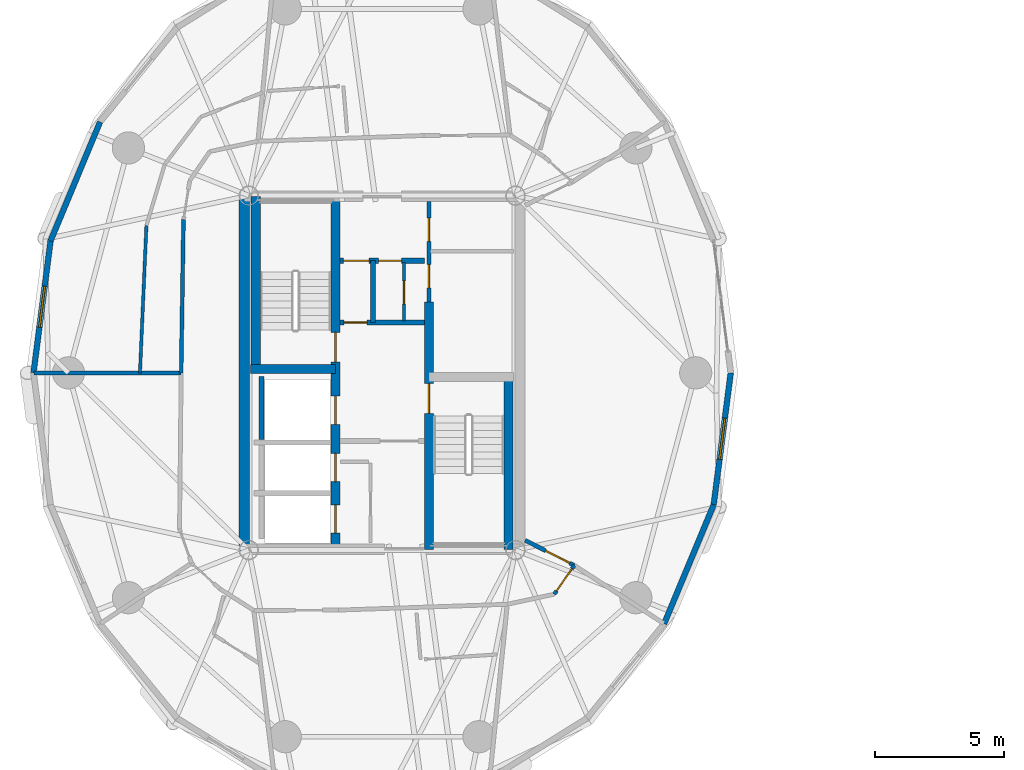
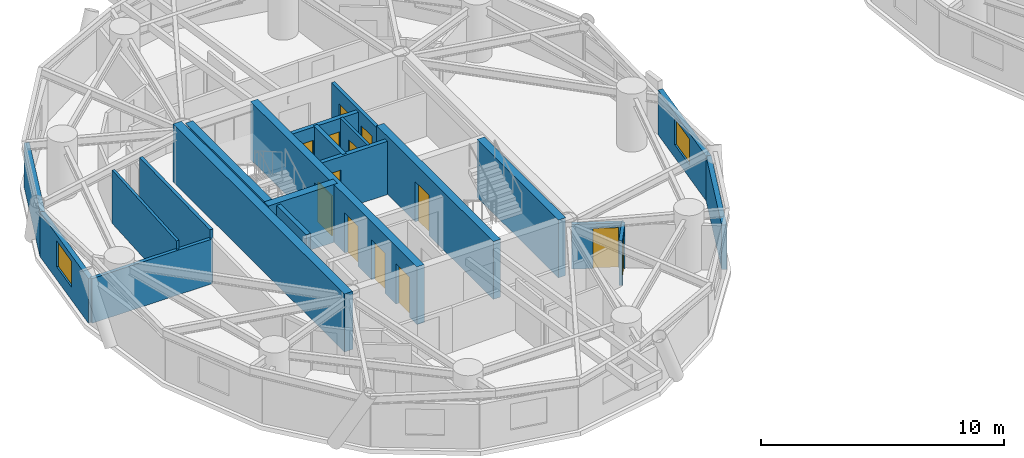
# One storey, part 10 of 17: 21 walls, 13 doors, 2 windows, 15 openings.
"""IFC4 building model written with IfcOpenShell, lengths in metres."""

from ifc_helpers import new_model, si_unit, direction, frame, frame_2d, origin, place, context, subcontext, project, spatial, rectangle, extrude, source, transform, mapped, material, layer, layer_set, type_object, element, fill, save


model = new_model("IFC4")

# Units and contexts
model_context = context("Model", 3, precision=1e-05, world=origin(), true_north=direction((0.0, 1.0)))
body_context = subcontext(model_context, "Body", "Model", "MODEL_VIEW")
ifc_project = project(units=[si_unit("LENGTHUNIT", "METRE"), si_unit("AREAUNIT", "SQUARE_METRE"), si_unit("VOLUMEUNIT", "CUBIC_METRE"), si_unit("PLANEANGLEUNIT", "RADIAN"), si_unit("MASSUNIT", "GRAM", prefix="KILO")], contexts=[model_context])

# Site, building, storey
site_placement = place(None, origin())
site = spatial("IfcSite", under=ifc_project, at=site_placement, CompositionType="ELEMENT")
building_placement = place(site_placement, origin())
building = spatial("IfcBuilding", under=site, at=building_placement, Name="Cununo Teusaquillo Station Towers", CompositionType="ELEMENT")
storey_placement = place(building_placement, frame((0.0, 0.0, 183.610107421875)))
storey = spatial("IfcBuildingStorey", under=building, at=storey_placement, Name="L58", CompositionType="ELEMENT", Elevation=183.610107421875)

# Wall
ifc_material_1 = material(Name="Concrete C50/60", Category="concrete")
ifc_layer_1 = layer(ifc_material_1, 0.199951171875)
ifc_layer_set_1 = layer_set([ifc_layer_1], Name="Concrete C50/60")
wall_type_1 = type_object("IfcWallType", Name="WL-CORE-200", PredefinedType="SHEAR", material=ifc_layer_set_1)
wall_1_placement = place(storey_placement, frame((11.820068359375, 21.919921875, 0.0), z_axis=(0.0, 0.0, 1.0), x_axis=(0.0, 1.0, 0.0)))
element("IfcWall", 1, at=wall_1_placement, inside=storey, type_object=wall_type_1, Name="L58 Tower A Firefighting Lift Shaft Rear Shear Wall", PredefinedType="SHEAR", context=body_context, shape_type="SweptSolid", body=[
    extrude(rectangle(XDim=2.440185546875, YDim=0.199951171875, at=frame_2d((1.22021484375, 0.0))), origin(), (0.0, 0.0, 1.0), 2.909912109375),
])

# Wall, openings, doors
ifc_material_2 = material(Name="Concrete C50/60", Category="concrete")
ifc_layer_2 = layer(ifc_material_2, 0.35009765625)
ifc_layer_set_2 = layer_set([ifc_layer_2], Name="Concrete C50/60")
wall_type_2 = type_object("IfcWallType", Name="WL-CORE-350", PredefinedType="SHEAR", material=ifc_layer_set_2)
wall_2_placement = place(storey_placement, frame((14.68505859375, 17.64990234375, 0.0), z_axis=(0.0, 0.0, 1.0), x_axis=(0.0, 1.0, 0.0)))
wall_2 = element("IfcWall", 2, at=wall_2_placement, inside=storey, type_object=wall_type_2, Name="L58 Tower A Core Shear Wall IW", PredefinedType="SHEAR", context=body_context, shape_type="SweptSolid", body=[
    extrude(rectangle(XDim=13.7001953125, YDim=0.35009765625, at=frame_2d((6.85009765625, 0.0))), origin(), (0.0, 0.0, 1.0), 2.909912109375),
])
shared_shape_1 = source(origin(), body_context, "Body", "SweptSolid", [
    extrude(rectangle(XDim=1.10009765625, YDim=2.014892578125, at=frame_2d((0.550048828125, 1.00732421875))), frame((0.0, 0.18505859375, 0.0), z_axis=(0.0, -1.0, 0.0), x_axis=(1.0, 0.0, 0.0)), (0.0, 0.0, 1.0), 0.3701171875),
])
opening_1_placement = place(wall_2_placement, frame((4.85009765625, 0.0, 0.0)))
opening_1 = element("IfcOpeningElement", 3, at=opening_1_placement, cuts=wall_2, Name="Opening LD-01", PredefinedType="OPENING", context=body_context, shape_type="MappedRepresentation", body=[
    mapped(shared_shape_1, transform((0.0, 0.0, 0.0), x_axis=(1.0, 0.0, 0.0), y_axis=(0.0, 1.0, 0.0), z_axis=(0.0, 0.0, 1.0), scale=1.0)),
])
opening_2_placement = place(wall_2_placement, frame((0.625, 0.0, 0.0)))
opening_2 = element("IfcOpeningElement", 4, at=opening_2_placement, cuts=wall_2, Name="Opening LD-01", PredefinedType="OPENING", context=body_context, shape_type="MappedRepresentation", body=[
    mapped(shared_shape_1, transform((0.0, 0.0, 0.0), x_axis=(1.0, 0.0, 0.0), y_axis=(0.0, 1.0, 0.0), z_axis=(0.0, 0.0, 1.0), scale=1.0)),
])
opening_3_placement = place(wall_2_placement, frame((2.625, 0.0, 0.0)))
opening_3 = element("IfcOpeningElement", 5, at=opening_3_placement, cuts=wall_2, Name="Opening LD-01", PredefinedType="OPENING", context=body_context, shape_type="MappedRepresentation", body=[
    mapped(shared_shape_1, transform((0.0, 0.0, 0.0), x_axis=(1.0, 0.0, 0.0), y_axis=(0.0, 1.0, 0.0), z_axis=(0.0, 0.0, 1.0), scale=1.0)),
])
shared_shape_2 = source(origin(), body_context, "Body", "SweptSolid", [
    extrude(rectangle(XDim=1.14990234375, YDim=2.02001953125, at=frame_2d((0.574951171875, 1.010009765625))), frame((0.0, 0.18505859375, 0.0), z_axis=(0.0, -1.0, 0.0), x_axis=(1.0, 0.0, 0.0)), (0.0, 0.0, 1.0), 0.3701171875),
])
opening_4_placement = place(wall_2_placement, frame((7.27001953125, 0.0, 0.0)))
opening_4 = element("IfcOpeningElement", 6, at=opening_4_placement, cuts=wall_2, Name="Opening D-ST1", PredefinedType="OPENING", context=body_context, shape_type="MappedRepresentation", body=[
    mapped(shared_shape_2, transform((0.0, 0.0, 0.0), x_axis=(1.0, 0.0, 0.0), y_axis=(0.0, 1.0, 0.0), z_axis=(0.0, 0.0, 1.0), scale=1.0)),
])
ifc_material_3 = material(Name="Galvanised fire-rated hollow steel door assembly", Category="steel")
door_type_1 = type_object("IfcDoorType", Name="DR-LIFT-1100", OperationType="SLIDING_TO_LEFT", PredefinedType="DOOR", material=ifc_material_3)
shared_shape_3 = source(origin(), body_context, "Body", "SweptSolid", [
    extrude(rectangle(XDim=1.10009765625, YDim=2.014892578125, at=frame_2d((0.550048828125, 1.00732421875))), frame((0.0, 0.02490234375, 0.0), z_axis=(0.0, -1.0, 0.0), x_axis=(1.0, 0.0, 0.0)), (0.0, 0.0, 1.0), 0.050048828125),
])
door_1_placement = place(opening_1_placement, origin())
door_1 = element("IfcDoor", 7, at=door_1_placement, inside=storey, type_object=door_type_1, Name="L58 Lift FL-T1 Sliding Landing Door", OperationType="SLIDING_TO_LEFT", OverallHeight=2.014892578125, OverallWidth=1.10009765625, PredefinedType="DOOR", context=body_context, shape_type="MappedRepresentation", body=[
    mapped(shared_shape_3, transform((0.0, 0.0, 0.0), x_axis=(1.0, 0.0, 0.0), y_axis=(0.0, 1.0, 0.0), z_axis=(0.0, 0.0, 1.0), scale=1.0)),
])
fill(opening_1, door_1)
door_2_placement = place(opening_2_placement, origin())
door_2 = element("IfcDoor", 8, at=door_2_placement, inside=storey, type_object=door_type_1, Name="L58 Lift PL-T1-H1 Sliding Landing Door", OperationType="SLIDING_TO_RIGHT", OverallHeight=2.014892578125, OverallWidth=1.10009765625, PredefinedType="DOOR", context=body_context, shape_type="MappedRepresentation", body=[
    mapped(shared_shape_3, transform((0.0, 0.0, 0.0), x_axis=(1.0, 0.0, 0.0), y_axis=(0.0, 1.0, 0.0), z_axis=(0.0, 0.0, 1.0), scale=1.0)),
])
fill(opening_2, door_2)
door_3_placement = place(opening_3_placement, origin())
door_3 = element("IfcDoor", 9, at=door_3_placement, inside=storey, type_object=door_type_1, Name="L58 Lift PL-T1-H2 Sliding Landing Door", OperationType="SLIDING_TO_LEFT", OverallHeight=2.014892578125, OverallWidth=1.10009765625, PredefinedType="DOOR", context=body_context, shape_type="MappedRepresentation", body=[
    mapped(shared_shape_3, transform((0.0, 0.0, 0.0), x_axis=(1.0, 0.0, 0.0), y_axis=(0.0, 1.0, 0.0), z_axis=(0.0, 0.0, 1.0), scale=1.0)),
])
fill(opening_3, door_3)
ifc_material_4 = material(Name="Galvanised fire-rated hollow steel door assembly", Category="steel")
door_type_2 = type_object("IfcDoorType", Name="DR-STAIR-1150", OperationType="NOTDEFINED", PredefinedType="DOOR", material=ifc_material_4)
shared_shape_4 = source(origin(), body_context, "Body", "SweptSolid", [
    extrude(rectangle(XDim=1.14990234375, YDim=2.02001953125, at=frame_2d((0.574951171875, 1.010009765625))), frame((0.0, 0.02490234375, 0.0), z_axis=(0.0, -1.0, 0.0), x_axis=(1.0, 0.0, 0.0)), (0.0, 0.0, 1.0), 0.050048828125),
])
door_4_placement = place(opening_4_placement, origin())
door_4 = element("IfcDoor", 10, at=door_4_placement, inside=storey, type_object=door_type_2, Name="L58 Tower A Exit Stair 1 Fire Door", OperationType="SINGLE_SWING_RIGHT", OverallHeight=2.02001953125, OverallWidth=1.14990234375, PredefinedType="DOOR", context=body_context, shape_type="MappedRepresentation", body=[
    mapped(shared_shape_4, transform((0.0, 0.0, 0.0), x_axis=(1.0, 0.0, 0.0), y_axis=(0.0, 1.0, 0.0), z_axis=(0.0, 0.0, 1.0), scale=1.0)),
])
fill(opening_4, door_4)

# Wall, opening, door
wall_3_placement = place(storey_placement, frame((18.31494140625, 17.64990234375, 0.0), z_axis=(0.0, 0.0, 1.0), x_axis=(0.0, 1.0, 0.0)))
wall_3 = element("IfcWall", 11, at=wall_3_placement, inside=storey, type_object=wall_type_2, Name="L58 Tower A Core Shear Wall IE", PredefinedType="SHEAR", context=body_context, shape_type="SweptSolid", body=[
    extrude(rectangle(XDim=9.60009765625, YDim=0.35009765625, at=frame_2d((4.800048828125, 0.0))), origin(), (0.0, 0.0, 1.0), 2.909912109375),
])
opening_5_placement = place(wall_3_placement, frame((5.280029296875, 0.0, 0.0)))
opening_5 = element("IfcOpeningElement", 12, at=opening_5_placement, cuts=wall_3, Name="Opening D-ST1", PredefinedType="OPENING", context=body_context, shape_type="MappedRepresentation", body=[
    mapped(shared_shape_2, transform((0.0, 0.0, 0.0), x_axis=(1.0, 0.0, 0.0), y_axis=(0.0, 1.0, 0.0), z_axis=(0.0, 0.0, 1.0), scale=1.0)),
])
door_5_placement = place(opening_5_placement, origin())
door_5 = element("IfcDoor", 13, at=door_5_placement, inside=storey, type_object=door_type_2, Name="L58 Tower A Exit Stair 2 Fire Door", OperationType="SINGLE_SWING_LEFT", OverallHeight=2.02001953125, OverallWidth=1.14990234375, PredefinedType="DOOR", context=body_context, shape_type="MappedRepresentation", body=[
    mapped(shared_shape_4, transform((0.0, 0.0, 0.0), x_axis=(1.0, 0.0, 0.0), y_axis=(0.0, 1.0, 0.0), z_axis=(0.0, 0.0, 1.0), scale=1.0)),
])
fill(opening_5, door_5)

# Walls
wall_4_placement = place(storey_placement, frame((11.594970703125, 24.655029296875, 0.0), z_axis=(0.0, 0.0, 1.0), x_axis=(0.0, 1.0, 0.0)))
element("IfcWall", 14, at=wall_4_placement, inside=storey, type_object=wall_type_2, Name="L58 Tower A Core Shear Wall ST1W", PredefinedType="SHEAR", context=body_context, shape_type="SweptSolid", body=[
    extrude(rectangle(XDim=6.695068359375, YDim=0.35009765625, at=frame_2d((3.34765625, 0.0))), origin(), (0.0, 0.0, 1.0), 2.909912109375),
])
wall_5_placement = place(storey_placement, frame((11.39990234375, 24.655029296875, 0.0), z_axis=(0.0, 0.0, 1.0), x_axis=(1.0, 0.0, 0.0)))
element("IfcWall", 15, at=wall_5_placement, inside=storey, type_object=wall_type_2, Name="L58 Tower A Core Shear Wall ST1S", PredefinedType="SHEAR", context=body_context, shape_type="SweptSolid", body=[
    extrude(rectangle(XDim=3.28515625, YDim=0.35009765625, at=frame_2d((1.642578125, 0.0))), origin(), (0.0, 0.0, 1.0), 2.909912109375),
])
wall_6_placement = place(storey_placement, frame((21.405029296875, 17.64990234375, 0.0), z_axis=(0.0, 0.0, 1.0), x_axis=(0.0, 1.0, 0.0)))
element("IfcWall", 16, at=wall_6_placement, inside=storey, type_object=wall_type_2, Name="L58 Tower A Core Shear Wall ST2E", PredefinedType="SHEAR", context=body_context, shape_type="SweptSolid", body=[
    extrude(rectangle(XDim=6.695068359375, YDim=0.35009765625, at=frame_2d((3.34765625, 0.0))), origin(), (0.0, 0.0, 1.0), 2.909912109375),
])
ifc_material_5 = material(Name="Concrete C50/60", Category="concrete")
ifc_layer_3 = layer(ifc_material_5, 0.39990234375)
ifc_layer_set_3 = layer_set([ifc_layer_3], Name="Concrete C50/60")
wall_type_3 = type_object("IfcWallType", Name="WL-CORE-400", PredefinedType="SHEAR", material=ifc_layer_set_3)
wall_7_placement = place(storey_placement, frame((11.14990234375, 17.449951171875, 0.0), z_axis=(0.0, 0.0, 1.0), x_axis=(0.0, 1.0, 0.0)))
element("IfcWall", 17, at=wall_7_placement, inside=storey, type_object=wall_type_3, Name="L58 Tower A Core Shear Wall W", PredefinedType="SHEAR", context=body_context, shape_type="SweptSolid", body=[
    extrude(rectangle(XDim=14.10009765625, YDim=0.39990234375, at=frame_2d((7.050048828125, 0.0))), origin(), (0.0, 0.0, 1.0), 2.909912109375),
])
ifc_material_6 = material(Name="Precast concrete C40/50", Category="concrete")
ifc_layer_4 = layer(ifc_material_6, 0.219970703125)
ifc_layer_set_4 = layer_set([ifc_layer_4], Name="Precast concrete C40/50")
wall_type_4 = type_object("IfcWallType", Name="WL-EXT-220", PredefinedType="SOLIDWALL", material=ifc_layer_set_4)
wall_8_placement = place(storey_placement, frame((3.63134765625, 29.620361328125, 0.0), z_axis=(0.0, 0.0, 1.0), x_axis=(0.384144094086, 0.923273152961, 0.0)))
element("IfcWall", 18, at=wall_8_placement, inside=storey, type_object=wall_type_4, Name="L58 Tower A Exterior Facade Wall C08", PredefinedType="SOLIDWALL", context=body_context, shape_type="SweptSolid", body=[
    extrude(rectangle(XDim=5.0029296875, YDim=0.219970703125, at=frame_2d((2.50146484375, 0.0))), origin(), (0.0, 0.0, 1.0), 2.244873046875),
])

# Wall, opening, window
wall_9_placement = place(storey_placement, frame((2.968994140625, 24.5, 0.0), z_axis=(0.0, 0.0, 1.0), x_axis=(0.128287912609, 0.991736966881, 0.0)))
wall_9 = element("IfcWall", 19, at=wall_9_placement, inside=storey, type_object=wall_type_4, Name="L58 Tower A Exterior Facade Wall C09", PredefinedType="SOLIDWALL", context=body_context, shape_type="SweptSolid", body=[
    extrude(rectangle(XDim=5.1630859375, YDim=0.219970703125, at=frame_2d((2.58154296875, 0.0))), origin(), (0.0, 0.0, 1.0), 2.244873046875),
])
shared_shape_5 = source(origin(), body_context, "Body", "SweptSolid", [
    extrude(rectangle(XDim=1.60009765625, YDim=1.300048828125, at=frame_2d((0.800048828125, 0.64990234375))), frame((0.0, 0.119873046875, 0.0), z_axis=(0.0, -1.0, 0.0), x_axis=(1.0, 0.0, 0.0)), (0.0, 0.0, 1.0), 0.239990234375),
])
opening_6_placement = place(wall_9_placement, frame((1.781982421875, 0.0, 0.64990234375)))
opening_6 = element("IfcOpeningElement", 20, at=opening_6_placement, cuts=wall_9, Name="Opening WN-03", PredefinedType="OPENING", context=body_context, shape_type="MappedRepresentation", body=[
    mapped(shared_shape_5, transform((0.0, 0.0, 0.0), x_axis=(1.0, 0.0, 0.0), y_axis=(0.0, 1.0, 0.0), z_axis=(0.0, 0.0, 1.0), scale=1.0)),
])
ifc_material_7 = material(Name="Ceramic-fritted dark low-E double glazing", Category="glass")
window_type = type_object("IfcWindowType", Name="WIN-CORN-1600", PartitioningType="SINGLE_PANEL", PredefinedType="WINDOW", material=ifc_material_7)
shared_shape_6 = source(origin(), body_context, "Body", "SweptSolid", [
    extrude(rectangle(XDim=1.60009765625, YDim=1.300048828125, at=frame_2d((0.800048828125, 0.64990234375))), frame((0.0, 0.030029296875, 0.0), z_axis=(0.0, -1.0, 0.0), x_axis=(1.0, 0.0, 0.0)), (0.0, 0.0, 1.0), 0.06005859375),
])
window_1_placement = place(opening_6_placement, origin())
window_1 = element("IfcWindow", 21, at=window_1_placement, inside=storey, type_object=window_type, Name="L58 Tower A Facade Window C09", OverallHeight=1.300048828125, OverallWidth=1.60009765625, PartitioningType="SINGLE_PANEL", PredefinedType="WINDOW", context=body_context, shape_type="MappedRepresentation", body=[
    mapped(shared_shape_6, transform((0.0, 0.0, 0.0), x_axis=(1.0, 0.0, 0.0), y_axis=(0.0, 1.0, 0.0), z_axis=(0.0, 0.0, 1.0), scale=1.0)),
])
fill(opening_6, window_1)

# Wall
wall_10_placement = place(storey_placement, frame((29.36865234375, 19.379638671875, 0.0), z_axis=(0.0, 0.0, 1.0), x_axis=(-0.384144094086, -0.923273152961, 0.0)))
element("IfcWall", 22, at=wall_10_placement, inside=storey, type_object=wall_type_4, Name="L58 Tower A Exterior Facade Wall C18", PredefinedType="SOLIDWALL", context=body_context, shape_type="SweptSolid", body=[
    extrude(rectangle(XDim=5.0029296875, YDim=0.219970703125, at=frame_2d((2.50146484375, 0.0))), origin(), (0.0, 0.0, 1.0), 2.244873046875),
])

# Wall, opening, window
wall_11_placement = place(storey_placement, frame((30.031005859375, 24.5, 0.0), z_axis=(0.0, 0.0, 1.0), x_axis=(-0.128287912609, -0.991736966881, 0.0)))
wall_11 = element("IfcWall", 23, at=wall_11_placement, inside=storey, type_object=wall_type_4, Name="L58 Tower A Exterior Facade Wall C19", PredefinedType="SOLIDWALL", context=body_context, shape_type="SweptSolid", body=[
    extrude(rectangle(XDim=5.1630859375, YDim=0.219970703125, at=frame_2d((2.58154296875, 0.0))), origin(), (0.0, 0.0, 1.0), 2.244873046875),
])
opening_7_placement = place(wall_11_placement, frame((1.781982421875, 0.0, 0.64990234375)))
opening_7 = element("IfcOpeningElement", 24, at=opening_7_placement, cuts=wall_11, Name="Opening WN-03", PredefinedType="OPENING", context=body_context, shape_type="MappedRepresentation", body=[
    mapped(shared_shape_5, transform((0.0, 0.0, 0.0), x_axis=(1.0, 0.0, 0.0), y_axis=(0.0, 1.0, 0.0), z_axis=(0.0, 0.0, 1.0), scale=1.0)),
])
window_2_placement = place(opening_7_placement, origin())
window_2 = element("IfcWindow", 25, at=window_2_placement, inside=storey, type_object=window_type, Name="L58 Tower A Facade Window C19", OverallHeight=1.300048828125, OverallWidth=1.60009765625, PartitioningType="SINGLE_PANEL", PredefinedType="WINDOW", context=body_context, shape_type="MappedRepresentation", body=[
    mapped(shared_shape_6, transform((0.0, 0.0, 0.0), x_axis=(1.0, 0.0, 0.0), y_axis=(0.0, 1.0, 0.0), z_axis=(0.0, 0.0, 1.0), scale=1.0)),
])
fill(opening_7, window_2)

# Wall, opening, door
ifc_material_8 = material(Name="Fire-rated gypsum plasterboard partition assembly", Category="gypsum")
ifc_layer_5 = layer(ifc_material_8, 0.125)
ifc_layer_set_5 = layer_set([ifc_layer_5], Name="Fire-rated gypsum plasterboard partition assembly")
wall_type_5 = type_object("IfcWallType", Name="WL-PART-125", PredefinedType="PARTITIONING", material=ifc_layer_set_5)
wall_12_placement = place(storey_placement, frame((17.35009765625, 26.52001953125, 0.0), z_axis=(0.0, 0.0, 1.0), x_axis=(0.0, 1.0, 0.0)))
wall_12 = element("IfcWall", 26, at=wall_12_placement, inside=storey, type_object=wall_type_5, Name="L58 Tower A Core Vertical Split Wall", PredefinedType="PARTITIONING", context=body_context, shape_type="SweptSolid", body=[
    extrude(rectangle(XDim=2.260009765625, YDim=0.125, at=frame_2d((1.1298828125, 0.0))), origin(), (0.0, 0.0, 1.0), 2.6748046875),
])
shared_shape_7 = source(origin(), body_context, "Body", "SweptSolid", [
    extrude(rectangle(XDim=0.89990234375, YDim=2.0048828125, at=frame_2d((0.449951171875, 1.00244140625))), frame((0.0, 0.072509765625, 0.0), z_axis=(0.0, -1.0, 0.0), x_axis=(1.0, 0.0, 0.0)), (0.0, 0.0, 1.0), 0.14501953125),
])
opening_8_placement = place(wall_12_placement, frame((0.64990234375, 0.0, 0.0)))
opening_8 = element("IfcOpeningElement", 27, at=opening_8_placement, cuts=wall_12, Name="Opening D-SR1", PredefinedType="OPENING", context=body_context, shape_type="MappedRepresentation", body=[
    mapped(shared_shape_7, transform((0.0, 0.0, 0.0), x_axis=(1.0, 0.0, 0.0), y_axis=(0.0, 1.0, 0.0), z_axis=(0.0, 0.0, 1.0), scale=1.0)),
])
ifc_material_9 = material(Name="Galvanised fire-rated hollow steel door assembly", Category="steel")
door_type_3 = type_object("IfcDoorType", Name="DR-STORE-900", OperationType="NOTDEFINED", PredefinedType="DOOR", material=ifc_material_9)
shared_shape_8 = source(origin(), body_context, "Body", "SweptSolid", [
    extrude(rectangle(XDim=0.89990234375, YDim=2.0048828125, at=frame_2d((0.449951171875, 1.00244140625))), frame((0.0, 0.02490234375, 0.0), z_axis=(0.0, -1.0, 0.0), x_axis=(1.0, 0.0, 0.0)), (0.0, 0.0, 1.0), 0.050048828125),
])
door_6_placement = place(opening_8_placement, origin())
door_6 = element("IfcDoor", 28, at=door_6_placement, inside=storey, type_object=door_type_3, Name="L58 Tower A Core Electrical Room Door", OperationType="SINGLE_SWING_RIGHT", OverallHeight=2.0048828125, OverallWidth=0.89990234375, PredefinedType="DOOR", context=body_context, shape_type="MappedRepresentation", body=[
    mapped(shared_shape_8, transform((0.0, 0.0, 0.0), x_axis=(1.0, 0.0, 0.0), y_axis=(0.0, 1.0, 0.0), z_axis=(0.0, 0.0, 1.0), scale=1.0)),
])
fill(opening_8, door_6)

# Walls
wall_13_placement = place(storey_placement, frame((7.351318359375, 30.21337890625, 0.0), z_axis=(0.0, 0.0, 1.0), x_axis=(-0.043800331293, -0.999040304982, 0.0)))
element("IfcWall", 29, at=wall_13_placement, inside=storey, type_object=wall_type_5, Name="L58 Tower A Hotel Tea & Cigar Conservatory Concentric Partition Wall C09", PredefinedType="PARTITIONING", context=body_context, shape_type="SweptSolid", body=[
    extrude(rectangle(XDim=5.71875, YDim=0.125, at=frame_2d((2.859375, 0.0))), origin(), (0.0, 0.0, 1.0), 2.6748046875),
])
ifc_material_10 = material(Name="Fire-rated gypsum plasterboard partition assembly", Category="gypsum")
ifc_layer_6 = layer(ifc_material_10, 0.14990234375)
ifc_layer_set_6 = layer_set([ifc_layer_6], Name="Fire-rated gypsum plasterboard partition assembly")
wall_type_6 = type_object("IfcWallType", Name="WL-PART-150", PredefinedType="PARTITIONING", material=ifc_layer_set_6)
wall_14_placement = place(storey_placement, frame((8.79052734375, 30.4462890625, 0.0), z_axis=(0.0, 0.0, 1.0), x_axis=(-0.015230619426, -0.999884007389, 0.0)))
element("IfcWall", 30, at=wall_14_placement, inside=storey, type_object=wall_type_6, Name="L58 Tower A Corridor Ring Wall C09", PredefinedType="PARTITIONING", context=body_context, shape_type="SweptSolid", body=[
    extrude(rectangle(XDim=5.947021484375, YDim=0.14990234375, at=frame_2d((2.9736328125, 0.0))), origin(), (0.0, 0.0, 1.0), 2.6748046875),
])

# Wall, opening, door
wall_15_placement = place(storey_placement, frame((23.18115234375, 15.90771484375, 0.0), z_axis=(0.0, 0.0, 1.0), x_axis=(0.571342842249, 0.820711494138, 0.0)))
wall_15 = element("IfcWall", 31, at=wall_15_placement, inside=storey, type_object=wall_type_6, Name="L58 Tower A Corridor Ring Wall C17", PredefinedType="PARTITIONING", context=body_context, shape_type="SweptSolid", body=[
    extrude(rectangle(XDim=1.36181640625, YDim=0.14990234375, at=frame_2d((0.680908203125, 0.0))), origin(), (0.0, 0.0, 1.0), 2.244873046875),
])
shared_shape_9 = source(origin(), body_context, "Body", "SweptSolid", [
    extrude(rectangle(XDim=1.050048828125, YDim=2.014892578125, at=frame_2d((0.52490234375, 1.00732421875))), frame((0.0, 0.0849609375, 0.0), z_axis=(0.0, -1.0, 0.0), x_axis=(1.0, 0.0, 0.0)), (0.0, 0.0, 1.0), 0.169921875),
])
opening_9_placement = place(wall_15_placement, frame((0.156005859375, 0.0, 0.0)))
opening_9 = element("IfcOpeningElement", 32, at=opening_9_placement, cuts=wall_15, Name="Opening D-SU1", PredefinedType="OPENING", context=body_context, shape_type="MappedRepresentation", body=[
    mapped(shared_shape_9, transform((0.0, 0.0, 0.0), x_axis=(1.0, 0.0, 0.0), y_axis=(0.0, 1.0, 0.0), z_axis=(0.0, 0.0, 1.0), scale=1.0)),
])
ifc_material_11 = material(Name="Acoustic solid-core hardwood leaf assembly", Category="wood")
door_type_4 = type_object("IfcDoorType", Name="DR-SUITE-1050", OperationType="NOTDEFINED", PredefinedType="DOOR", material=ifc_material_11)
shared_shape_10 = source(origin(), body_context, "Body", "SweptSolid", [
    extrude(rectangle(XDim=1.050048828125, YDim=2.014892578125, at=frame_2d((0.52490234375, 1.00732421875))), frame((0.0, 0.02490234375, 0.0), z_axis=(0.0, -1.0, 0.0), x_axis=(1.0, 0.0, 0.0)), (0.0, 0.0, 1.0), 0.050048828125),
])
door_7_placement = place(opening_9_placement, origin())
door_7 = element("IfcDoor", 33, at=door_7_placement, inside=storey, type_object=door_type_4, Name="L58 Tower A Hotel Housekeeping & Linen Pantry Entrance Door", OperationType="SINGLE_SWING_RIGHT", OverallHeight=2.014892578125, OverallWidth=1.050048828125, PredefinedType="DOOR", context=body_context, shape_type="MappedRepresentation", body=[
    mapped(shared_shape_10, transform((0.0, 0.0, 0.0), x_axis=(1.0, 0.0, 0.0), y_axis=(0.0, 1.0, 0.0), z_axis=(0.0, 0.0, 1.0), scale=1.0)),
])
fill(opening_9, door_7)

# Wall, openings, doors
ifc_material_12 = material(Name="Fire-rated gypsum plasterboard partition assembly", Category="gypsum")
ifc_layer_7 = layer(ifc_material_12, 0.159912109375)
ifc_layer_set_7 = layer_set([ifc_layer_7], Name="Fire-rated gypsum plasterboard partition assembly")
wall_type_7 = type_object("IfcWallType", Name="WL-PART-160", PredefinedType="PARTITIONING", material=ifc_layer_set_7)
wall_16_placement = place(storey_placement, frame((18.31494140625, 27.25, 0.0), z_axis=(0.0, 0.0, 1.0), x_axis=(0.0, 1.0, 0.0)))
wall_16 = element("IfcWall", 34, at=wall_16_placement, inside=storey, type_object=wall_type_7, Name="L58 Tower A Reclaimed Core Bay Entry Wall", PredefinedType="PARTITIONING", context=body_context, shape_type="SweptSolid", body=[
    extrude(rectangle(XDim=3.89990234375, YDim=0.159912109375, at=frame_2d((1.949951171875, 0.0))), origin(), (0.0, 0.0, 1.0), 2.6748046875),
])
shared_shape_11 = source(origin(), body_context, "Body", "SweptSolid", [
    extrude(rectangle(XDim=0.89990234375, YDim=2.0048828125, at=frame_2d((0.449951171875, 1.00244140625))), frame((0.0, 0.08984375, 0.0), z_axis=(0.0, -1.0, 0.0), x_axis=(1.0, 0.0, 0.0)), (0.0, 0.0, 1.0), 0.179931640625),
])
opening_10_placement = place(wall_16_placement, frame((0.550048828125, 0.0, 0.0)))
opening_10 = element("IfcOpeningElement", 35, at=opening_10_placement, cuts=wall_16, Name="Opening D-IN1", PredefinedType="OPENING", context=body_context, shape_type="MappedRepresentation", body=[
    mapped(shared_shape_11, transform((0.0, 0.0, 0.0), x_axis=(1.0, 0.0, 0.0), y_axis=(0.0, 1.0, 0.0), z_axis=(0.0, 0.0, 1.0), scale=1.0)),
])
opening_11_placement = place(wall_16_placement, frame((2.35009765625, 0.0, 0.0)))
opening_11 = element("IfcOpeningElement", 36, at=opening_11_placement, cuts=wall_16, Name="Opening D-IN1", PredefinedType="OPENING", context=body_context, shape_type="MappedRepresentation", body=[
    mapped(shared_shape_11, transform((0.0, 0.0, 0.0), x_axis=(1.0, 0.0, 0.0), y_axis=(0.0, 1.0, 0.0), z_axis=(0.0, 0.0, 1.0), scale=1.0)),
])
ifc_material_13 = material(Name="Acoustic solid-core hardwood leaf assembly", Category="wood")
door_type_5 = type_object("IfcDoorType", Name="DR-INT-900", OperationType="NOTDEFINED", PredefinedType="DOOR", material=ifc_material_13)
door_8_placement = place(opening_10_placement, origin())
door_8 = element("IfcDoor", 37, at=door_8_placement, inside=storey, type_object=door_type_5, Name="L58 Tower A Reclaimed Core Study Door", OperationType="SINGLE_SWING_LEFT", OverallHeight=2.0048828125, OverallWidth=0.89990234375, PredefinedType="DOOR", context=body_context, shape_type="MappedRepresentation", body=[
    mapped(shared_shape_8, transform((0.0, 0.0, 0.0), x_axis=(1.0, 0.0, 0.0), y_axis=(0.0, 1.0, 0.0), z_axis=(0.0, 0.0, 1.0), scale=1.0)),
])
fill(opening_10, door_8)
door_9_placement = place(opening_11_placement, origin())
door_9 = element("IfcDoor", 38, at=door_9_placement, inside=storey, type_object=door_type_5, Name="L58 Tower A Reclaimed Core Pantry Door", OperationType="SINGLE_SWING_RIGHT", OverallHeight=2.0048828125, OverallWidth=0.89990234375, PredefinedType="DOOR", context=body_context, shape_type="MappedRepresentation", body=[
    mapped(shared_shape_8, transform((0.0, 0.0, 0.0), x_axis=(1.0, 0.0, 0.0), y_axis=(0.0, 1.0, 0.0), z_axis=(0.0, 0.0, 1.0), scale=1.0)),
])
fill(opening_11, door_9)

# Wall
wall_17_placement = place(storey_placement, frame((8.699951171875, 24.5, 0.0), z_axis=(0.0, 0.0, 1.0), x_axis=(-1.0, 0.0, 0.0)))
element("IfcWall", 39, at=wall_17_placement, inside=storey, type_object=wall_type_7, Name="L58 Tower A Radial Suite Partition R04", PredefinedType="PARTITIONING", context=body_context, shape_type="SweptSolid", body=[
    extrude(rectangle(XDim=5.7109375, YDim=0.159912109375, at=frame_2d((2.85546875, 0.0))), origin(), (0.0, 0.0, 1.0), 2.244873046875),
])

# Wall, opening, door
wall_18_placement = place(storey_placement, frame((22.050048828125, 18.0, 0.0), z_axis=(0.0, 0.0, 1.0), x_axis=(0.890660222535, -0.454669515136, 0.0)))
wall_18 = element("IfcWall", 40, at=wall_18_placement, inside=storey, type_object=wall_type_7, Name="L58 Tower A East Salon Corridor Portal Wall SE", PredefinedType="PARTITIONING", context=body_context, shape_type="SweptSolid", body=[
    extrude(rectangle(XDim=2.1435546875, YDim=0.159912109375, at=frame_2d((1.07177734375, 0.0))), origin(), (0.0, 0.0, 1.0), 2.244873046875),
])
shared_shape_12 = source(origin(), body_context, "Body", "SweptSolid", [
    extrude(rectangle(XDim=1.050048828125, YDim=2.014892578125, at=frame_2d((0.52490234375, 1.00732421875))), frame((0.0, 0.08984375, 0.0), z_axis=(0.0, -1.0, 0.0), x_axis=(1.0, 0.0, 0.0)), (0.0, 0.0, 1.0), 0.179931640625),
])
opening_12_placement = place(wall_18_placement, frame((0.8935546875, 0.0, 0.0)))
opening_12 = element("IfcOpeningElement", 41, at=opening_12_placement, cuts=wall_18, Name="Opening D-SU1", PredefinedType="OPENING", context=body_context, shape_type="MappedRepresentation", body=[
    mapped(shared_shape_12, transform((0.0, 0.0, 0.0), x_axis=(1.0, 0.0, 0.0), y_axis=(0.0, 1.0, 0.0), z_axis=(0.0, 0.0, 1.0), scale=1.0)),
])
door_10_placement = place(opening_12_placement, origin())
door_10 = element("IfcDoor", 42, at=door_10_placement, inside=storey, type_object=door_type_4, Name="L58 Tower A East Panorama Sky Salon Door SE", OperationType="SINGLE_SWING_RIGHT", OverallHeight=2.014892578125, OverallWidth=1.050048828125, PredefinedType="DOOR", context=body_context, shape_type="MappedRepresentation", body=[
    mapped(shared_shape_10, transform((0.0, 0.0, 0.0), x_axis=(1.0, 0.0, 0.0), y_axis=(0.0, 1.0, 0.0), z_axis=(0.0, 0.0, 1.0), scale=1.0)),
])
fill(opening_12, door_10)

ifc_material_14 = material(Name="Fire-rated gypsum plasterboard partition assembly", Category="gypsum")
ifc_layer_8 = layer(ifc_material_14, 0.199951171875)
ifc_layer_set_8 = layer_set([ifc_layer_8], Name="Fire-rated gypsum plasterboard partition assembly")
wall_type_8 = type_object("IfcWallType", Name="WL-PART-200", PredefinedType="PARTITIONING", material=ifc_layer_set_8)
wall_19_placement = place(storey_placement, frame((14.860107421875, 26.449951171875, 0.0), z_axis=(0.0, 0.0, 1.0), x_axis=(1.0, 0.0, 0.0)))
wall_19 = element("IfcWall", 43, at=wall_19_placement, inside=storey, type_object=wall_type_8, Name="L58 Tower A Firefighting Lift Lobby North Fire Wall", PredefinedType="PARTITIONING", context=body_context, shape_type="SweptSolid", body=[
    extrude(rectangle(XDim=3.27978515625, YDim=0.199951171875, at=frame_2d((1.639892578125, 0.0))), origin(), (0.0, 0.0, 1.0), 2.6748046875),
])
shared_shape_13 = source(origin(), body_context, "Body", "SweptSolid", [
    extrude(rectangle(XDim=0.89990234375, YDim=2.0048828125, at=frame_2d((0.449951171875, 1.00244140625))), frame((0.0, 0.10986328125, 0.0), z_axis=(0.0, -1.0, 0.0), x_axis=(1.0, 0.0, 0.0)), (0.0, 0.0, 1.0), 0.219970703125),
])
opening_13_placement = place(wall_19_placement, frame((0.159912109375, 0.0, 0.0)))
opening_13 = element("IfcOpeningElement", 44, at=opening_13_placement, cuts=wall_19, Name="Opening D-SR1", PredefinedType="OPENING", context=body_context, shape_type="MappedRepresentation", body=[
    mapped(shared_shape_13, transform((0.0, 0.0, 0.0), x_axis=(1.0, 0.0, 0.0), y_axis=(0.0, 1.0, 0.0), z_axis=(0.0, 0.0, 1.0), scale=1.0)),
])
door_11_placement = place(opening_13_placement, origin())
door_11 = element("IfcDoor", 45, at=door_11_placement, inside=storey, type_object=door_type_3, Name="L58 Tower A Stair 1 Protected Vestibule South Door", OperationType="SINGLE_SWING_RIGHT", OverallHeight=2.0048828125, OverallWidth=0.89990234375, PredefinedType="DOOR", context=body_context, shape_type="MappedRepresentation", body=[
    mapped(shared_shape_8, transform((0.0, 0.0, 0.0), x_axis=(1.0, 0.0, 0.0), y_axis=(0.0, 1.0, 0.0), z_axis=(0.0, 0.0, 1.0), scale=1.0)),
])
fill(opening_13, door_11)

# Wall
wall_20_placement = place(storey_placement, frame((16.14990234375, 26.449951171875, 0.0), z_axis=(0.0, 0.0, 1.0), x_axis=(0.0, 1.0, 0.0)))
element("IfcWall", 46, at=wall_20_placement, inside=storey, type_object=wall_type_8, Name="L58 Tower A Stair 1 Vestibule Partition Wall", PredefinedType="PARTITIONING", context=body_context, shape_type="SweptSolid", body=[
    extrude(rectangle(XDim=2.400146484375, YDim=0.199951171875, at=frame_2d((1.2001953125, 0.0))), origin(), (0.0, 0.0, 1.0), 2.6748046875),
])

# Wall, openings, doors
wall_21_placement = place(storey_placement, frame((14.860107421875, 28.85009765625, 0.0), z_axis=(0.0, 0.0, 1.0), x_axis=(1.0, 0.0, 0.0)))
wall_21 = element("IfcWall", 47, at=wall_21_placement, inside=storey, type_object=wall_type_8, Name="L58 Tower A North Lift Lobby South Fire Wall", PredefinedType="PARTITIONING", context=body_context, shape_type="SweptSolid", body=[
    extrude(rectangle(XDim=3.27978515625, YDim=0.199951171875, at=frame_2d((1.639892578125, 0.0))), origin(), (0.0, 0.0, 1.0), 2.6748046875),
])
shared_shape_14 = source(origin(), body_context, "Body", "SweptSolid", [
    extrude(rectangle(XDim=1.0, YDim=2.014892578125, at=frame_2d((0.5, 1.00732421875))), frame((0.0, 0.10986328125, 0.0), z_axis=(0.0, -1.0, 0.0), x_axis=(1.0, 0.0, 0.0)), (0.0, 0.0, 1.0), 0.219970703125),
])
opening_14_placement = place(wall_21_placement, frame((0.139892578125, 0.0, 0.0)))
opening_14 = element("IfcOpeningElement", 48, at=opening_14_placement, cuts=wall_21, Name="Opening D-AC1", PredefinedType="OPENING", context=body_context, shape_type="MappedRepresentation", body=[
    mapped(shared_shape_14, transform((0.0, 0.0, 0.0), x_axis=(1.0, 0.0, 0.0), y_axis=(0.0, 1.0, 0.0), z_axis=(0.0, 0.0, 1.0), scale=1.0)),
])
opening_15_placement = place(wall_21_placement, frame((1.5, 0.0, 0.0)))
opening_15 = element("IfcOpeningElement", 49, at=opening_15_placement, cuts=wall_21, Name="Opening D-SR1", PredefinedType="OPENING", context=body_context, shape_type="MappedRepresentation", body=[
    mapped(shared_shape_13, transform((0.0, 0.0, 0.0), x_axis=(1.0, 0.0, 0.0), y_axis=(0.0, 1.0, 0.0), z_axis=(0.0, 0.0, 1.0), scale=1.0)),
])
door_12_placement = place(opening_15_placement, origin())
door_12 = element("IfcDoor", 50, at=door_12_placement, inside=storey, type_object=door_type_3, Name="L58 Tower A Core Housekeeping Store Door", OperationType="SINGLE_SWING_LEFT", OverallHeight=2.0048828125, OverallWidth=0.89990234375, PredefinedType="DOOR", context=body_context, shape_type="MappedRepresentation", body=[
    mapped(shared_shape_8, transform((0.0, 0.0, 0.0), x_axis=(1.0, 0.0, 0.0), y_axis=(0.0, 1.0, 0.0), z_axis=(0.0, 0.0, 1.0), scale=1.0)),
])
fill(opening_15, door_12)
ifc_material_15 = material(Name="Acoustic solid-core hardwood leaf assembly", Category="wood")
door_type_6 = type_object("IfcDoorType", Name="DR-ACC-1000", OperationType="NOTDEFINED", PredefinedType="DOOR", material=ifc_material_15)
shared_shape_15 = source(origin(), body_context, "Body", "SweptSolid", [
    extrude(rectangle(XDim=1.0, YDim=2.014892578125, at=frame_2d((0.5, 1.00732421875))), frame((0.0, 0.02490234375, 0.0), z_axis=(0.0, -1.0, 0.0), x_axis=(1.0, 0.0, 0.0)), (0.0, 0.0, 1.0), 0.050048828125),
])
door_13_placement = place(opening_14_placement, origin())
door_13 = element("IfcDoor", 51, at=door_13_placement, inside=storey, type_object=door_type_6, Name="L58 Tower A North Lift Lobby to Stair 1 Vestibule Door", OperationType="SINGLE_SWING_LEFT", OverallHeight=2.014892578125, OverallWidth=1.0, PredefinedType="DOOR", context=body_context, shape_type="MappedRepresentation", body=[
    mapped(shared_shape_15, transform((0.0, 0.0, 0.0), x_axis=(1.0, 0.0, 0.0), y_axis=(0.0, 1.0, 0.0), z_axis=(0.0, 0.0, 1.0), scale=1.0)),
])
fill(opening_14, door_13)

save(model, "model.ifc")
